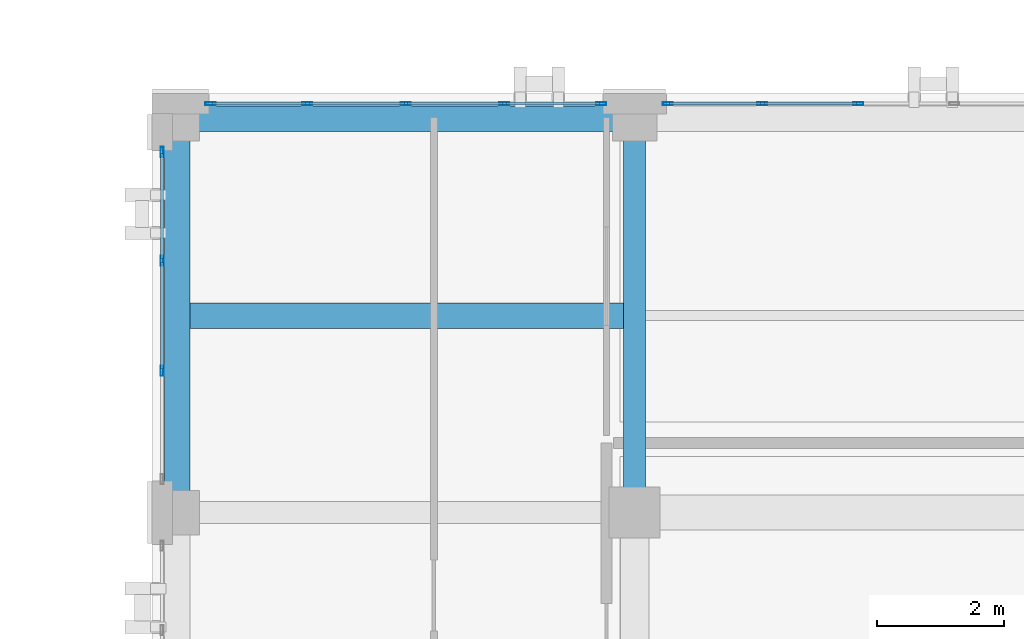
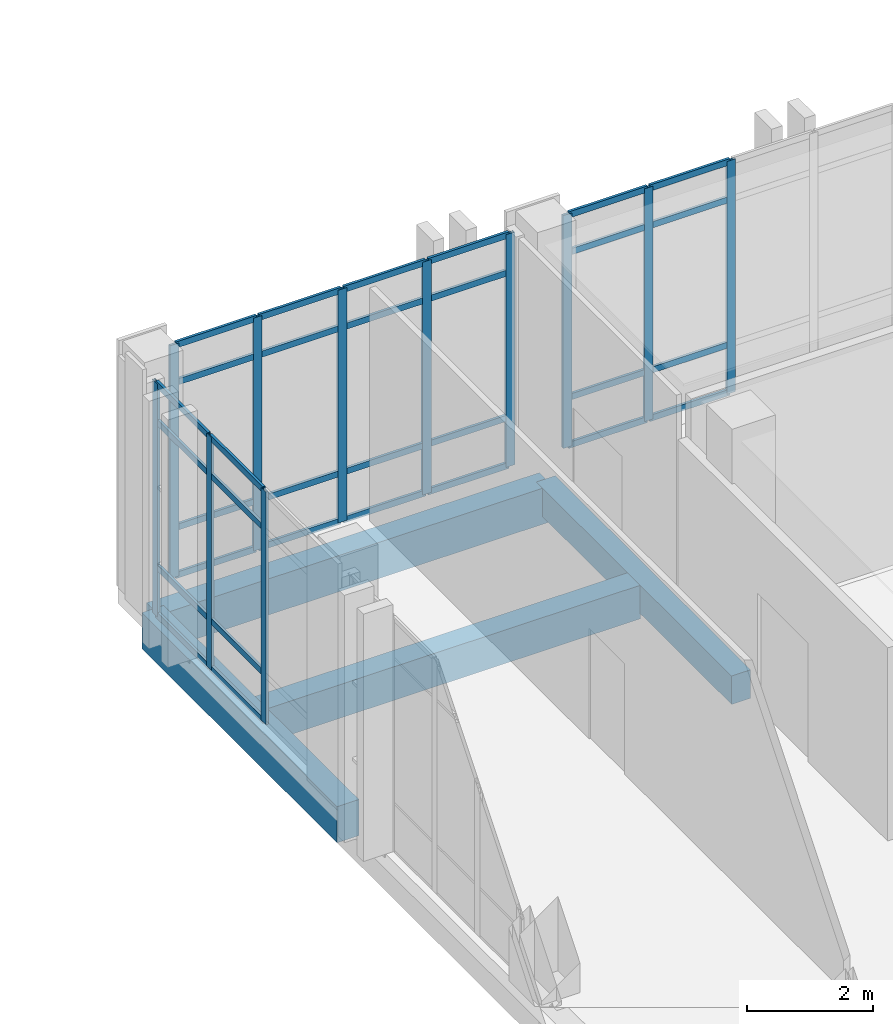
# One storey, part 102 of 189: 43 members, 4 beams, 3 elements without a shape of their own.
"""IFC4 building model written with IfcOpenShell, lengths in metres."""

from ifc_helpers import new_model, si_unit, direction, frame, origin, origin_2d, place, context, subcontext, project, spatial, rectangle, hollow_rectangle, extrude, material, layer, layer_set, material_profile, profile_set, type_object, element, aggregate, save


model = new_model("IFC4")

# Units and contexts
model_context = context("Model", 3, precision=1e-05, world=origin(), true_north=direction((0.0, 1.0)))
body_context = subcontext(model_context, "Body", "Model", "MODEL_VIEW")
ifc_project = project(units=[si_unit("LENGTHUNIT", "METRE"), si_unit("AREAUNIT", "SQUARE_METRE"), si_unit("VOLUMEUNIT", "CUBIC_METRE"), si_unit("PLANEANGLEUNIT", "RADIAN"), si_unit("MASSUNIT", "GRAM", prefix="KILO")], contexts=[model_context])

# Site, building, storey
site_placement = place(None, origin())
site = spatial("IfcSite", under=ifc_project, at=site_placement, CompositionType="ELEMENT")
building_placement = place(site_placement, origin())
building = spatial("IfcBuilding", under=site, at=building_placement, Name="Qalavern Law Courts", CompositionType="ELEMENT")
storey_placement = place(building_placement, frame((0.0, 0.0, 5.39990234375)))
storey = spatial("IfcBuildingStorey", under=building, at=storey_placement, Name="L01", CompositionType="ELEMENT", Elevation=5.39990234375)

# Curtain wall, members
ifc_material_1 = material(Name="Anodised aluminium and insulated glazing", Category="aluminium")
ifc_layer = layer(ifc_material_1, 0.172119140625)
ifc_layer_set = layer_set([ifc_layer], Name="Anodised aluminium and insulated glazing")
curtain_wall_type = type_object("IfcCurtainWallType", Name="ENV-CW-COURT", PredefinedType="USERDEFINED", material=ifc_layer_set)
curtain_wall_1_placement = place(storey_placement, origin())
curtain_wall_1 = element("IfcCurtainWall", 1, at=curtain_wall_1_placement, inside=storey, type_object=curtain_wall_type, Name="V4 unitised curtain wall L01 north 1", ObjectType="UNITISED CURTAIN WALL", PredefinedType="USERDEFINED")
ifc_material_2 = material(Name="Anodised aluminium", Category="aluminium")
ifc_material_profile_1 = material_profile(ifc_material_2, hollow_rectangle(XDim=0.048095703125, YDim=0.159912109375, WallThickness=0.00390625, at=origin_2d()), Name="ALU MULLION 48x160")
ifc_profile_set_1 = profile_set([ifc_material_profile_1], Name="Anodised aluminium")
member_type_1 = type_object("IfcMemberType", Name="ENV-CWM-48x160", PredefinedType="MULLION", material=ifc_profile_set_1)
member_1_placement = place(storey_placement, frame((95.322265625, 85.637451171875, 0.0), z_axis=(0.0, 0.0, 1.0), x_axis=(0.0, -1.0, 0.0)))
member_1 = element("IfcMember", 2, at=member_1_placement, type_object=member_type_1, Name="CW-03 mullion 8", PredefinedType="MULLION", context=body_context, shape_type="SweptSolid", body=[
    extrude(hollow_rectangle(XDim=0.048095703125, YDim=0.159912109375, WallThickness=0.00390625, at=origin_2d()), origin(), (0.0, 0.0, 1.0), 4.510009765625),
])
member_2_placement = place(storey_placement, frame((93.81103515625, 85.637451171875, 0.0), z_axis=(0.0, 0.0, 1.0), x_axis=(0.0, -1.0, 0.0)))
member_2 = element("IfcMember", 3, at=member_2_placement, type_object=member_type_1, Name="CW-03 mullion 9", PredefinedType="MULLION", context=body_context, shape_type="SweptSolid", body=[
    extrude(hollow_rectangle(XDim=0.048095703125, YDim=0.159912109375, WallThickness=0.00390625, at=origin_2d()), origin(), (0.0, 0.0, 1.0), 4.510009765625),
])
member_3_placement = place(storey_placement, frame((92.323974609375, 85.637451171875, 0.0), z_axis=(0.0, 0.0, 1.0), x_axis=(0.0, -1.0, 0.0)))
member_3 = element("IfcMember", 4, at=member_3_placement, type_object=member_type_1, Name="CW-03 mullion 10", PredefinedType="MULLION", context=body_context, shape_type="SweptSolid", body=[
    extrude(hollow_rectangle(XDim=0.048095703125, YDim=0.159912109375, WallThickness=0.00390625, at=origin_2d()), origin(), (0.0, 0.0, 1.0), 4.510009765625),
])

curtain_wall_2_placement = place(storey_placement, origin())
curtain_wall_2 = element("IfcCurtainWall", 5, at=curtain_wall_2_placement, inside=storey, type_object=curtain_wall_type, Name="V4 unitised curtain wall L01 north 2", ObjectType="UNITISED CURTAIN WALL", PredefinedType="USERDEFINED")
member_4_placement = place(storey_placement, frame((91.27587890625, 85.637451171875, 0.0), z_axis=(0.0, 0.0, 1.0), x_axis=(0.0, -1.0, 0.0)))
member_4 = element("IfcMember", 6, at=member_4_placement, type_object=member_type_1, Name="CW-03 mullion 1", PredefinedType="MULLION", context=body_context, shape_type="SweptSolid", body=[
    extrude(hollow_rectangle(XDim=0.048095703125, YDim=0.159912109375, WallThickness=0.00390625, at=origin_2d()), origin(), (0.0, 0.0, 1.0), 4.510009765625),
])
member_5_placement = place(storey_placement, frame((89.75, 85.637451171875, 0.0), z_axis=(0.0, 0.0, 1.0), x_axis=(0.0, -1.0, 0.0)))
member_5 = element("IfcMember", 7, at=member_5_placement, type_object=member_type_1, Name="CW-03 mullion 2", PredefinedType="MULLION", context=body_context, shape_type="SweptSolid", body=[
    extrude(hollow_rectangle(XDim=0.048095703125, YDim=0.159912109375, WallThickness=0.00390625, at=origin_2d()), origin(), (0.0, 0.0, 1.0), 4.510009765625),
])
member_6_placement = place(storey_placement, frame((88.199951171875, 85.637451171875, 0.0), z_axis=(0.0, 0.0, 1.0), x_axis=(0.0, -1.0, 0.0)))
member_6 = element("IfcMember", 8, at=member_6_placement, type_object=member_type_1, Name="CW-03 mullion 3", PredefinedType="MULLION", context=body_context, shape_type="SweptSolid", body=[
    extrude(hollow_rectangle(XDim=0.048095703125, YDim=0.159912109375, WallThickness=0.00390625, at=origin_2d()), origin(), (0.0, 0.0, 1.0), 4.510009765625),
])
member_7_placement = place(storey_placement, frame((86.64990234375, 85.637451171875, 0.0), z_axis=(0.0, 0.0, 1.0), x_axis=(0.0, -1.0, 0.0)))
member_7 = element("IfcMember", 9, at=member_7_placement, type_object=member_type_1, Name="CW-03 mullion 4", PredefinedType="MULLION", context=body_context, shape_type="SweptSolid", body=[
    extrude(hollow_rectangle(XDim=0.048095703125, YDim=0.159912109375, WallThickness=0.00390625, at=origin_2d()), origin(), (0.0, 0.0, 1.0), 4.510009765625),
])
member_8_placement = place(storey_placement, frame((85.1240234375, 85.637451171875, 0.0), z_axis=(0.0, 0.0, 1.0), x_axis=(0.0, -1.0, 0.0)))
member_8 = element("IfcMember", 10, at=member_8_placement, type_object=member_type_1, Name="CW-03 mullion 5", PredefinedType="MULLION", context=body_context, shape_type="SweptSolid", body=[
    extrude(hollow_rectangle(XDim=0.048095703125, YDim=0.159912109375, WallThickness=0.00390625, at=origin_2d()), origin(), (0.0, 0.0, 1.0), 4.510009765625),
])

curtain_wall_3_placement = place(storey_placement, origin())
curtain_wall_3 = element("IfcCurtainWall", 11, at=curtain_wall_3_placement, inside=storey, type_object=curtain_wall_type, Name="V4 unitised curtain wall L01 west 1", ObjectType="UNITISED CURTAIN WALL", PredefinedType="USERDEFINED")
member_9_placement = place(storey_placement, frame((84.362548828125, 84.8759765625, 0.0), z_axis=(0.0, 0.0, 1.0), x_axis=(1.0, 0.0, 0.0)))
member_9 = element("IfcMember", 12, at=member_9_placement, type_object=member_type_1, Name="CW-03 mullion 1", PredefinedType="MULLION", context=body_context, shape_type="SweptSolid", body=[
    extrude(hollow_rectangle(XDim=0.048095703125, YDim=0.159912109375, WallThickness=0.00390625, at=origin_2d()), origin(), (0.0, 0.0, 1.0), 4.510009765625),
])
member_10_placement = place(storey_placement, frame((84.362548828125, 83.166748046875, 0.0), z_axis=(0.0, 0.0, 1.0), x_axis=(1.0, 0.0, 0.0)))
member_10 = element("IfcMember", 13, at=member_10_placement, type_object=member_type_1, Name="CW-03 mullion 2", PredefinedType="MULLION", context=body_context, shape_type="SweptSolid", body=[
    extrude(hollow_rectangle(XDim=0.048095703125, YDim=0.159912109375, WallThickness=0.00390625, at=origin_2d()), origin(), (0.0, 0.0, 1.0), 4.510009765625),
])
member_11_placement = place(storey_placement, frame((84.362548828125, 81.433349609375, 0.0), z_axis=(0.0, 0.0, 1.0), x_axis=(1.0, 0.0, 0.0)))
member_11 = element("IfcMember", 14, at=member_11_placement, type_object=member_type_1, Name="CW-03 mullion 3", PredefinedType="MULLION", context=body_context, shape_type="SweptSolid", body=[
    extrude(hollow_rectangle(XDim=0.048095703125, YDim=0.159912109375, WallThickness=0.00390625, at=origin_2d()), origin(), (0.0, 0.0, 1.0), 4.510009765625),
])

# Member
ifc_material_profile_2 = material_profile(ifc_material_2, hollow_rectangle(XDim=0.048095703125, YDim=0.1201171875, WallThickness=0.00390625, at=origin_2d()), Name="ALU TRANSOM 48x120")
ifc_profile_set_2 = profile_set([ifc_material_profile_2], Name="Anodised aluminium")
member_type_2 = type_object("IfcMemberType", Name="ENV-CWT-48x120", PredefinedType="USERDEFINED", material=ifc_profile_set_2)
member_12_placement = place(storey_placement, frame((95.29833984375, 85.637451171875, 0.024169921875), z_axis=(-1.0, 0.0, 0.0), x_axis=(0.0, -1.0, 0.0)))
member_12 = element("IfcMember", 15, at=member_12_placement, type_object=member_type_2, Name="CW-03 transom 8.1", ObjectType="TRANSOM", PredefinedType="USERDEFINED", context=body_context, shape_type="SweptSolid", body=[
    extrude(hollow_rectangle(XDim=0.048095703125, YDim=0.1201171875, WallThickness=0.00390625, at=origin_2d()), origin(), (0.0, 0.0, 1.0), 1.463134765625),
])

member_13_placement = place(storey_placement, frame((95.29833984375, 85.637451171875, 0.9501953125), z_axis=(-1.0, 0.0, 0.0), x_axis=(0.0, -1.0, 0.0)))
member_13 = element("IfcMember", 16, at=member_13_placement, type_object=member_type_2, Name="CW-03 transom 8.2", ObjectType="TRANSOM", PredefinedType="USERDEFINED", context=body_context, shape_type="SweptSolid", body=[
    extrude(hollow_rectangle(XDim=0.048095703125, YDim=0.1201171875, WallThickness=0.00390625, at=origin_2d()), origin(), (0.0, 0.0, 1.0), 1.463134765625),
])

member_14_placement = place(storey_placement, frame((95.29833984375, 85.637451171875, 3.760009765625), z_axis=(-1.0, 0.0, 0.0), x_axis=(0.0, -1.0, 0.0)))
member_14 = element("IfcMember", 17, at=member_14_placement, type_object=member_type_2, Name="CW-03 transom 8.3", ObjectType="TRANSOM", PredefinedType="USERDEFINED", context=body_context, shape_type="SweptSolid", body=[
    extrude(hollow_rectangle(XDim=0.048095703125, YDim=0.1201171875, WallThickness=0.00390625, at=origin_2d()), origin(), (0.0, 0.0, 1.0), 1.463134765625),
])

member_15_placement = place(storey_placement, frame((95.29833984375, 85.637451171875, 4.486083984375), z_axis=(-1.0, 0.0, 0.0), x_axis=(0.0, -1.0, 0.0)))
member_15 = element("IfcMember", 18, at=member_15_placement, type_object=member_type_2, Name="CW-03 transom 8.4", ObjectType="TRANSOM", PredefinedType="USERDEFINED", context=body_context, shape_type="SweptSolid", body=[
    extrude(hollow_rectangle(XDim=0.048095703125, YDim=0.1201171875, WallThickness=0.00390625, at=origin_2d()), origin(), (0.0, 0.0, 1.0), 1.463134765625),
])

member_16_placement = place(storey_placement, frame((93.787109375, 85.637451171875, 0.024169921875), z_axis=(-1.0, 0.0, 0.0), x_axis=(0.0, -1.0, 0.0)))
member_16 = element("IfcMember", 19, at=member_16_placement, type_object=member_type_2, Name="CW-03 transom 9.1", ObjectType="TRANSOM", PredefinedType="USERDEFINED", context=body_context, shape_type="SweptSolid", body=[
    extrude(hollow_rectangle(XDim=0.048095703125, YDim=0.1201171875, WallThickness=0.00390625, at=origin_2d()), origin(), (0.0, 0.0, 1.0), 1.439208984375),
])

member_17_placement = place(storey_placement, frame((93.787109375, 85.637451171875, 0.9501953125), z_axis=(-1.0, 0.0, 0.0), x_axis=(0.0, -1.0, 0.0)))
member_17 = element("IfcMember", 20, at=member_17_placement, type_object=member_type_2, Name="CW-03 transom 9.2", ObjectType="TRANSOM", PredefinedType="USERDEFINED", context=body_context, shape_type="SweptSolid", body=[
    extrude(hollow_rectangle(XDim=0.048095703125, YDim=0.1201171875, WallThickness=0.00390625, at=origin_2d()), origin(), (0.0, 0.0, 1.0), 1.439208984375),
])

member_18_placement = place(storey_placement, frame((93.787109375, 85.637451171875, 3.760009765625), z_axis=(-1.0, 0.0, 0.0), x_axis=(0.0, -1.0, 0.0)))
member_18 = element("IfcMember", 21, at=member_18_placement, type_object=member_type_2, Name="CW-03 transom 9.3", ObjectType="TRANSOM", PredefinedType="USERDEFINED", context=body_context, shape_type="SweptSolid", body=[
    extrude(hollow_rectangle(XDim=0.048095703125, YDim=0.1201171875, WallThickness=0.00390625, at=origin_2d()), origin(), (0.0, 0.0, 1.0), 1.439208984375),
])

member_19_placement = place(storey_placement, frame((93.787109375, 85.637451171875, 4.486083984375), z_axis=(-1.0, 0.0, 0.0), x_axis=(0.0, -1.0, 0.0)))
member_19 = element("IfcMember", 22, at=member_19_placement, type_object=member_type_2, Name="CW-03 transom 9.4", ObjectType="TRANSOM", PredefinedType="USERDEFINED", context=body_context, shape_type="SweptSolid", body=[
    extrude(hollow_rectangle(XDim=0.048095703125, YDim=0.1201171875, WallThickness=0.00390625, at=origin_2d()), origin(), (0.0, 0.0, 1.0), 1.439208984375),
])

aggregate(curtain_wall_1, [member_1, member_2, member_3, member_12, member_13, member_14, member_15, member_16, member_17, member_18, member_19])

member_20_placement = place(storey_placement, frame((91.251953125, 85.637451171875, 0.024169921875), z_axis=(-1.0, 0.0, 0.0), x_axis=(0.0, -1.0, 0.0)))
member_20 = element("IfcMember", 23, at=member_20_placement, type_object=member_type_2, Name="CW-03 transom 1.1", ObjectType="TRANSOM", PredefinedType="USERDEFINED", context=body_context, shape_type="SweptSolid", body=[
    extrude(hollow_rectangle(XDim=0.048095703125, YDim=0.1201171875, WallThickness=0.00390625, at=origin_2d()), origin(), (0.0, 0.0, 1.0), 1.47802734375),
])

member_21_placement = place(storey_placement, frame((91.251953125, 85.637451171875, 0.9501953125), z_axis=(-1.0, 0.0, 0.0), x_axis=(0.0, -1.0, 0.0)))
member_21 = element("IfcMember", 24, at=member_21_placement, type_object=member_type_2, Name="CW-03 transom 1.2", ObjectType="TRANSOM", PredefinedType="USERDEFINED", context=body_context, shape_type="SweptSolid", body=[
    extrude(hollow_rectangle(XDim=0.048095703125, YDim=0.1201171875, WallThickness=0.00390625, at=origin_2d()), origin(), (0.0, 0.0, 1.0), 1.47802734375),
])

member_22_placement = place(storey_placement, frame((91.251953125, 85.637451171875, 3.760009765625), z_axis=(-1.0, 0.0, 0.0), x_axis=(0.0, -1.0, 0.0)))
member_22 = element("IfcMember", 25, at=member_22_placement, type_object=member_type_2, Name="CW-03 transom 1.3", ObjectType="TRANSOM", PredefinedType="USERDEFINED", context=body_context, shape_type="SweptSolid", body=[
    extrude(hollow_rectangle(XDim=0.048095703125, YDim=0.1201171875, WallThickness=0.00390625, at=origin_2d()), origin(), (0.0, 0.0, 1.0), 1.47802734375),
])

member_23_placement = place(storey_placement, frame((91.251953125, 85.637451171875, 4.486083984375), z_axis=(-1.0, 0.0, 0.0), x_axis=(0.0, -1.0, 0.0)))
member_23 = element("IfcMember", 26, at=member_23_placement, type_object=member_type_2, Name="CW-03 transom 1.4", ObjectType="TRANSOM", PredefinedType="USERDEFINED", context=body_context, shape_type="SweptSolid", body=[
    extrude(hollow_rectangle(XDim=0.048095703125, YDim=0.1201171875, WallThickness=0.00390625, at=origin_2d()), origin(), (0.0, 0.0, 1.0), 1.47802734375),
])

member_24_placement = place(storey_placement, frame((89.72607421875, 85.637451171875, 0.024169921875), z_axis=(-1.0, 0.0, 0.0), x_axis=(0.0, -1.0, 0.0)))
member_24 = element("IfcMember", 27, at=member_24_placement, type_object=member_type_2, Name="CW-03 transom 2.1", ObjectType="TRANSOM", PredefinedType="USERDEFINED", context=body_context, shape_type="SweptSolid", body=[
    extrude(hollow_rectangle(XDim=0.048095703125, YDim=0.1201171875, WallThickness=0.00390625, at=origin_2d()), origin(), (0.0, 0.0, 1.0), 1.501953125),
])

member_25_placement = place(storey_placement, frame((89.72607421875, 85.637451171875, 0.9501953125), z_axis=(-1.0, 0.0, 0.0), x_axis=(0.0, -1.0, 0.0)))
member_25 = element("IfcMember", 28, at=member_25_placement, type_object=member_type_2, Name="CW-03 transom 2.2", ObjectType="TRANSOM", PredefinedType="USERDEFINED", context=body_context, shape_type="SweptSolid", body=[
    extrude(hollow_rectangle(XDim=0.048095703125, YDim=0.1201171875, WallThickness=0.00390625, at=origin_2d()), origin(), (0.0, 0.0, 1.0), 1.501953125),
])

member_26_placement = place(storey_placement, frame((89.72607421875, 85.637451171875, 3.760009765625), z_axis=(-1.0, 0.0, 0.0), x_axis=(0.0, -1.0, 0.0)))
member_26 = element("IfcMember", 29, at=member_26_placement, type_object=member_type_2, Name="CW-03 transom 2.3", ObjectType="TRANSOM", PredefinedType="USERDEFINED", context=body_context, shape_type="SweptSolid", body=[
    extrude(hollow_rectangle(XDim=0.048095703125, YDim=0.1201171875, WallThickness=0.00390625, at=origin_2d()), origin(), (0.0, 0.0, 1.0), 1.501953125),
])

member_27_placement = place(storey_placement, frame((89.72607421875, 85.637451171875, 4.486083984375), z_axis=(-1.0, 0.0, 0.0), x_axis=(0.0, -1.0, 0.0)))
member_27 = element("IfcMember", 30, at=member_27_placement, type_object=member_type_2, Name="CW-03 transom 2.4", ObjectType="TRANSOM", PredefinedType="USERDEFINED", context=body_context, shape_type="SweptSolid", body=[
    extrude(hollow_rectangle(XDim=0.048095703125, YDim=0.1201171875, WallThickness=0.00390625, at=origin_2d()), origin(), (0.0, 0.0, 1.0), 1.501953125),
])

member_28_placement = place(storey_placement, frame((88.176025390625, 85.637451171875, 0.024169921875), z_axis=(-1.0, 0.0, 0.0), x_axis=(0.0, -1.0, 0.0)))
member_28 = element("IfcMember", 31, at=member_28_placement, type_object=member_type_2, Name="CW-03 transom 3.1", ObjectType="TRANSOM", PredefinedType="USERDEFINED", context=body_context, shape_type="SweptSolid", body=[
    extrude(hollow_rectangle(XDim=0.048095703125, YDim=0.1201171875, WallThickness=0.00390625, at=origin_2d()), origin(), (0.0, 0.0, 1.0), 1.501953125),
])

member_29_placement = place(storey_placement, frame((88.176025390625, 85.637451171875, 0.9501953125), z_axis=(-1.0, 0.0, 0.0), x_axis=(0.0, -1.0, 0.0)))
member_29 = element("IfcMember", 32, at=member_29_placement, type_object=member_type_2, Name="CW-03 transom 3.2", ObjectType="TRANSOM", PredefinedType="USERDEFINED", context=body_context, shape_type="SweptSolid", body=[
    extrude(hollow_rectangle(XDim=0.048095703125, YDim=0.1201171875, WallThickness=0.00390625, at=origin_2d()), origin(), (0.0, 0.0, 1.0), 1.501953125),
])

member_30_placement = place(storey_placement, frame((88.176025390625, 85.637451171875, 3.760009765625), z_axis=(-1.0, 0.0, 0.0), x_axis=(0.0, -1.0, 0.0)))
member_30 = element("IfcMember", 33, at=member_30_placement, type_object=member_type_2, Name="CW-03 transom 3.3", ObjectType="TRANSOM", PredefinedType="USERDEFINED", context=body_context, shape_type="SweptSolid", body=[
    extrude(hollow_rectangle(XDim=0.048095703125, YDim=0.1201171875, WallThickness=0.00390625, at=origin_2d()), origin(), (0.0, 0.0, 1.0), 1.501953125),
])

member_31_placement = place(storey_placement, frame((88.176025390625, 85.637451171875, 4.486083984375), z_axis=(-1.0, 0.0, 0.0), x_axis=(0.0, -1.0, 0.0)))
member_31 = element("IfcMember", 34, at=member_31_placement, type_object=member_type_2, Name="CW-03 transom 3.4", ObjectType="TRANSOM", PredefinedType="USERDEFINED", context=body_context, shape_type="SweptSolid", body=[
    extrude(hollow_rectangle(XDim=0.048095703125, YDim=0.1201171875, WallThickness=0.00390625, at=origin_2d()), origin(), (0.0, 0.0, 1.0), 1.501953125),
])

member_32_placement = place(storey_placement, frame((86.6259765625, 85.637451171875, 0.024169921875), z_axis=(-1.0, 0.0, 0.0), x_axis=(0.0, -1.0, 0.0)))
member_32 = element("IfcMember", 35, at=member_32_placement, type_object=member_type_2, Name="CW-03 transom 4.1", ObjectType="TRANSOM", PredefinedType="USERDEFINED", context=body_context, shape_type="SweptSolid", body=[
    extrude(hollow_rectangle(XDim=0.048095703125, YDim=0.1201171875, WallThickness=0.00390625, at=origin_2d()), origin(), (0.0, 0.0, 1.0), 1.47802734375),
])

member_33_placement = place(storey_placement, frame((86.6259765625, 85.637451171875, 0.9501953125), z_axis=(-1.0, 0.0, 0.0), x_axis=(0.0, -1.0, 0.0)))
member_33 = element("IfcMember", 36, at=member_33_placement, type_object=member_type_2, Name="CW-03 transom 4.2", ObjectType="TRANSOM", PredefinedType="USERDEFINED", context=body_context, shape_type="SweptSolid", body=[
    extrude(hollow_rectangle(XDim=0.048095703125, YDim=0.1201171875, WallThickness=0.00390625, at=origin_2d()), origin(), (0.0, 0.0, 1.0), 1.47802734375),
])

member_34_placement = place(storey_placement, frame((86.6259765625, 85.637451171875, 3.760009765625), z_axis=(-1.0, 0.0, 0.0), x_axis=(0.0, -1.0, 0.0)))
member_34 = element("IfcMember", 37, at=member_34_placement, type_object=member_type_2, Name="CW-03 transom 4.3", ObjectType="TRANSOM", PredefinedType="USERDEFINED", context=body_context, shape_type="SweptSolid", body=[
    extrude(hollow_rectangle(XDim=0.048095703125, YDim=0.1201171875, WallThickness=0.00390625, at=origin_2d()), origin(), (0.0, 0.0, 1.0), 1.47802734375),
])

member_35_placement = place(storey_placement, frame((86.6259765625, 85.637451171875, 4.486083984375), z_axis=(-1.0, 0.0, 0.0), x_axis=(0.0, -1.0, 0.0)))
member_35 = element("IfcMember", 38, at=member_35_placement, type_object=member_type_2, Name="CW-03 transom 4.4", ObjectType="TRANSOM", PredefinedType="USERDEFINED", context=body_context, shape_type="SweptSolid", body=[
    extrude(hollow_rectangle(XDim=0.048095703125, YDim=0.1201171875, WallThickness=0.00390625, at=origin_2d()), origin(), (0.0, 0.0, 1.0), 1.47802734375),
])

aggregate(curtain_wall_2, [member_4, member_5, member_6, member_7, member_8, member_20, member_21, member_22, member_23, member_24, member_25, member_26, member_27, member_28, member_29, member_30, member_31, member_32, member_33, member_34, member_35])

member_36_placement = place(storey_placement, frame((84.362548828125, 84.85205078125, 0.024169921875), z_axis=(0.0, -1.0, 0.0), x_axis=(1.0, 0.0, 0.0)))
member_36 = element("IfcMember", 39, at=member_36_placement, type_object=member_type_2, Name="CW-03 transom 1.1", ObjectType="TRANSOM", PredefinedType="USERDEFINED", context=body_context, shape_type="SweptSolid", body=[
    extrude(hollow_rectangle(XDim=0.048095703125, YDim=0.1201171875, WallThickness=0.00390625, at=origin_2d()), origin(), (0.0, 0.0, 1.0), 1.661376953125),
])

member_37_placement = place(storey_placement, frame((84.362548828125, 84.85205078125, 0.9501953125), z_axis=(0.0, -1.0, 0.0), x_axis=(1.0, 0.0, 0.0)))
member_37 = element("IfcMember", 40, at=member_37_placement, type_object=member_type_2, Name="CW-03 transom 1.2", ObjectType="TRANSOM", PredefinedType="USERDEFINED", context=body_context, shape_type="SweptSolid", body=[
    extrude(hollow_rectangle(XDim=0.048095703125, YDim=0.1201171875, WallThickness=0.00390625, at=origin_2d()), origin(), (0.0, 0.0, 1.0), 1.661376953125),
])

member_38_placement = place(storey_placement, frame((84.362548828125, 84.85205078125, 3.760009765625), z_axis=(0.0, -1.0, 0.0), x_axis=(1.0, 0.0, 0.0)))
member_38 = element("IfcMember", 41, at=member_38_placement, type_object=member_type_2, Name="CW-03 transom 1.3", ObjectType="TRANSOM", PredefinedType="USERDEFINED", context=body_context, shape_type="SweptSolid", body=[
    extrude(hollow_rectangle(XDim=0.048095703125, YDim=0.1201171875, WallThickness=0.00390625, at=origin_2d()), origin(), (0.0, 0.0, 1.0), 1.661376953125),
])

member_39_placement = place(storey_placement, frame((84.362548828125, 84.85205078125, 4.486083984375), z_axis=(0.0, -1.0, 0.0), x_axis=(1.0, 0.0, 0.0)))
member_39 = element("IfcMember", 42, at=member_39_placement, type_object=member_type_2, Name="CW-03 transom 1.4", ObjectType="TRANSOM", PredefinedType="USERDEFINED", context=body_context, shape_type="SweptSolid", body=[
    extrude(hollow_rectangle(XDim=0.048095703125, YDim=0.1201171875, WallThickness=0.00390625, at=origin_2d()), origin(), (0.0, 0.0, 1.0), 1.661376953125),
])

member_40_placement = place(storey_placement, frame((84.362548828125, 83.142578125, 0.024169921875), z_axis=(0.0, -1.0, 0.0), x_axis=(1.0, 0.0, 0.0)))
member_40 = element("IfcMember", 43, at=member_40_placement, type_object=member_type_2, Name="CW-03 transom 2.1", ObjectType="TRANSOM", PredefinedType="USERDEFINED", context=body_context, shape_type="SweptSolid", body=[
    extrude(hollow_rectangle(XDim=0.048095703125, YDim=0.1201171875, WallThickness=0.00390625, at=origin_2d()), origin(), (0.0, 0.0, 1.0), 1.685302734375),
])

member_41_placement = place(storey_placement, frame((84.362548828125, 83.142578125, 0.9501953125), z_axis=(0.0, -1.0, 0.0), x_axis=(1.0, 0.0, 0.0)))
member_41 = element("IfcMember", 44, at=member_41_placement, type_object=member_type_2, Name="CW-03 transom 2.2", ObjectType="TRANSOM", PredefinedType="USERDEFINED", context=body_context, shape_type="SweptSolid", body=[
    extrude(hollow_rectangle(XDim=0.048095703125, YDim=0.1201171875, WallThickness=0.00390625, at=origin_2d()), origin(), (0.0, 0.0, 1.0), 1.685302734375),
])

member_42_placement = place(storey_placement, frame((84.362548828125, 83.142578125, 3.760009765625), z_axis=(0.0, -1.0, 0.0), x_axis=(1.0, 0.0, 0.0)))
member_42 = element("IfcMember", 45, at=member_42_placement, type_object=member_type_2, Name="CW-03 transom 2.3", ObjectType="TRANSOM", PredefinedType="USERDEFINED", context=body_context, shape_type="SweptSolid", body=[
    extrude(hollow_rectangle(XDim=0.048095703125, YDim=0.1201171875, WallThickness=0.00390625, at=origin_2d()), origin(), (0.0, 0.0, 1.0), 1.685302734375),
])

member_43_placement = place(storey_placement, frame((84.362548828125, 83.142578125, 4.486083984375), z_axis=(0.0, -1.0, 0.0), x_axis=(1.0, 0.0, 0.0)))
member_43 = element("IfcMember", 46, at=member_43_placement, type_object=member_type_2, Name="CW-03 transom 2.4", ObjectType="TRANSOM", PredefinedType="USERDEFINED", context=body_context, shape_type="SweptSolid", body=[
    extrude(hollow_rectangle(XDim=0.048095703125, YDim=0.1201171875, WallThickness=0.00390625, at=origin_2d()), origin(), (0.0, 0.0, 1.0), 1.685302734375),
])

aggregate(curtain_wall_3, [member_9, member_10, member_11, member_36, member_37, member_38, member_39, member_40, member_41, member_42, member_43])

# Beams
ifc_material_3 = material(Name="Concrete C35/45", Category="concrete")
ifc_material_profile_3 = material_profile(ifc_material_3, rectangle(XDim=0.35009765625, YDim=0.550048828125, at=origin_2d()), Name="RC 350x550")
ifc_profile_set_3 = profile_set([ifc_material_profile_3], Name="Concrete C35/45")
beam_type_1 = type_object("IfcBeamType", Name="STR-BM-RC350x550", PredefinedType="BEAM", material=ifc_profile_set_3)
beam_1_placement = place(storey_placement, frame((91.800048828125, 79.199951171875, -0.574951171875), z_axis=(0.0, 1.0, 0.0), x_axis=(-1.0, 0.0, 0.0)))
element("IfcBeam", 47, at=beam_1_placement, inside=storey, type_object=beam_type_1, Name="V4 Y-beam 2-5 L01", PredefinedType="BEAM", context=body_context, shape_type="SweptSolid", body=[
    extrude(rectangle(XDim=0.35009765625, YDim=0.550048828125, at=origin_2d()), origin(), (0.0, 0.0, 1.0), 6.199951171875),
])
ifc_material_profile_4 = material_profile(ifc_material_3, rectangle(XDim=0.39990234375, YDim=0.64990234375, at=origin_2d()), Name="RC 400x650")
ifc_profile_set_4 = profile_set([ifc_material_profile_4], Name="Concrete C35/45")
beam_type_2 = type_object("IfcBeamType", Name="STR-JST-RC400x650", PredefinedType="JOIST", material=ifc_profile_set_4)
beam_2_placement = place(storey_placement, frame((84.798095703125, 82.300048828125, -0.625), z_axis=(1.0, 0.0, 0.0), x_axis=(0.0, 1.0, 0.0)))
element("IfcBeam", 48, at=beam_2_placement, inside=storey, type_object=beam_type_2, Name="V4 secondary joist 1.6.1 L01", PredefinedType="JOIST", context=body_context, shape_type="SweptSolid", body=[
    extrude(rectangle(XDim=0.39990234375, YDim=0.64990234375, at=origin_2d()), origin(), (0.0, 0.0, 1.0), 6.828857421875),
])
ifc_material_4 = material(Name="Concrete C40/50", Category="concrete")
ifc_material_profile_5 = material_profile(ifc_material_4, rectangle(XDim=0.39990234375, YDim=0.699951171875, at=origin_2d()), Name="RC 400x700")
ifc_profile_set_5 = profile_set([ifc_material_profile_5], Name="Concrete C40/50")
beam_type_3 = type_object("IfcBeamType", Name="STR-SP-RC400x700", PredefinedType="SPANDREL", material=ifc_profile_set_5)
beam_3_placement = place(storey_placement, frame((84.60009765625, 85.39990234375, -0.64990234375), z_axis=(1.0, 0.0, 0.0), x_axis=(0.0, 1.0, 0.0)))
element("IfcBeam", 49, at=beam_3_placement, inside=storey, type_object=beam_type_3, Name="V4 X-beam 7-1 L01", PredefinedType="SPANDREL", context=body_context, shape_type="SweptSolid", body=[
    extrude(rectangle(XDim=0.39990234375, YDim=0.699951171875, at=origin_2d()), origin(), (0.0, 0.0, 1.0), 7.199951171875),
])
beam_4_placement = place(storey_placement, frame((84.60009765625, 79.199951171875, -0.64990234375), z_axis=(0.0, 1.0, 0.0), x_axis=(-1.0, 0.0, 0.0)))
element("IfcBeam", 50, at=beam_4_placement, inside=storey, type_object=beam_type_3, Name="V4 Y-beam 1-6 L01", PredefinedType="SPANDREL", context=body_context, shape_type="SweptSolid", body=[
    extrude(rectangle(XDim=0.39990234375, YDim=0.699951171875, at=origin_2d()), origin(), (0.0, 0.0, 1.0), 6.199951171875),
])

save(model, "model.ifc")
